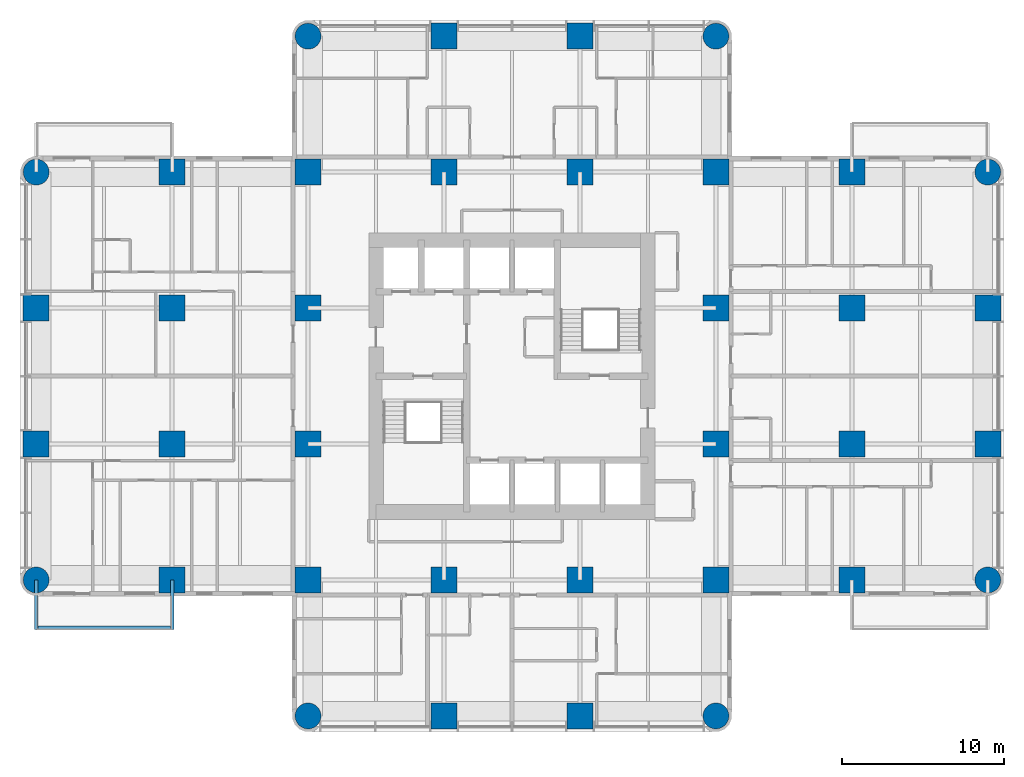
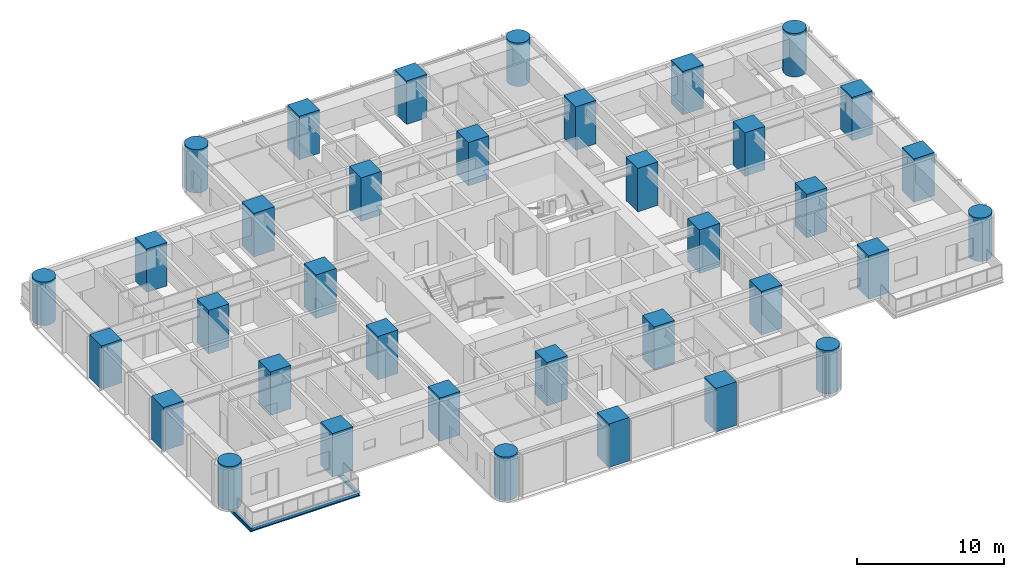
# One storey, part 1 of 14: 36 columns, 3 beams.
"""IFC4 building model written with IfcOpenShell, lengths in metres."""

import ifcopenshell
import ifcopenshell.guid

model = None  # the IFC model being written
_history = None  # IfcOwnerHistory: only IFC2X3 demands one
_inside = {}  # id of a spatial element -> (the spatial element, [elements in it])
_under = {}  # id of a project, library or spatial element -> (it, [spatial elements below it])
_declared = {}  # id of a project -> (the project, [libraries it declares])
_typed = {}  # id of a type object -> (the type object, [elements of that type])
_made_of = {}  # id of a material, layer set ... -> (it, [elements and type objects made of it])


def new_model(schema):
    """Start an empty IFC model of exactly this schema.

    Asked for "IFC4X3", IfcOpenShell would pick the latest addendum, in which some entities
    have other attributes; the version numbers below select the first issue.
    IFC2X3 requires an IfcOwnerHistory on every rooted entity: one is made here for all.
    """
    global model, _history
    if schema == "IFC4X3":
        model = ifcopenshell.file(schema_version=(4, 3, 0, 0))
    else:
        model = ifcopenshell.file(schema=schema)
    _inside.clear()
    _under.clear()
    _declared.clear()
    _typed.clear()
    _made_of.clear()
    _history = None
    if model.schema == "IFC2X3":
        org = make("IfcOrganization", Name="unknown")
        user = make(
            "IfcPersonAndOrganization",
            ThePerson=make("IfcPerson", FamilyName="unknown"),
            TheOrganization=org,
        )
        app = make(
            "IfcApplication",
            ApplicationDeveloper=org,
            Version="unknown",
            ApplicationFullName="unknown",
            ApplicationIdentifier="unknown",
        )
        _history = make(
            "IfcOwnerHistory",
            OwningUser=user,
            OwningApplication=app,
            ChangeAction="ADDED",
            CreationDate=0,
        )
    return model


def make(cls, **values):
    """One entity of the class cls with the attributes given. An attribute that is None is left unset."""
    return model.create_entity(
        cls, **{name: value for name, value in values.items() if value is not None}
    )


def rooted(cls, **values):
    """An entity with a GlobalId (a new one), such as an element, a storey or a relation."""
    return make(cls, GlobalId=ifcopenshell.guid.new(), OwnerHistory=_history, **values)


def si_unit(unit_type, name, prefix=None):
    """IfcSIUnit, for example si_unit("LENGTHUNIT", "METRE", prefix="MILLI")."""
    return make("IfcSIUnit", UnitType=unit_type, Prefix=prefix, Name=name)


def assignment(units):
    """IfcUnitAssignment: the units of a project."""
    return None if units is None else make("IfcUnitAssignment", Units=units)


def point(xyz):
    """IfcCartesianPoint."""
    return None if xyz is None else make("IfcCartesianPoint", Coordinates=xyz)


def direction(xyz):
    """IfcDirection."""
    return None if xyz is None else make("IfcDirection", DirectionRatios=xyz)


def frame(location, z_axis=None, x_axis=None):
    """IfcAxis2Placement3D, a coordinate frame: its origin and axes. An axis left out is left unset."""
    return make(
        "IfcAxis2Placement3D",
        Location=point(location),
        Axis=direction(z_axis),
        RefDirection=direction(x_axis),
    )


def frame_2d(location, x_axis=None):
    """IfcAxis2Placement2D, a coordinate frame in the plane: its origin and x axis."""
    return make(
        "IfcAxis2Placement2D", Location=point(location), RefDirection=direction(x_axis)
    )


def origin():
    """The frame at (0, 0, 0) with its axes left unset."""
    return frame((0.0, 0.0, 0.0))


def origin_2d():
    """The frame at (0, 0) in the plane with its x axis left unset."""
    return frame_2d((0.0, 0.0))


def place(relative_to, where):
    """IfcLocalPlacement: puts the frame where relative to a parent placement (None: the world)."""
    return make(
        "IfcLocalPlacement", PlacementRelTo=relative_to, RelativePlacement=where
    )


def context(
    kind, dimensions, precision=None, world=None, true_north=None, identifier=None
):
    """IfcGeometricRepresentationContext, for example the 3D "Model" context."""
    return make(
        "IfcGeometricRepresentationContext",
        ContextIdentifier=identifier,
        ContextType=kind,
        CoordinateSpaceDimension=dimensions,
        Precision=precision,
        WorldCoordinateSystem=world,
        TrueNorth=true_north,
    )


def subcontext(parent, identifier, kind, view, scale=None):
    """IfcGeometricRepresentationSubContext, for example "Body" below "Model"."""
    return make(
        "IfcGeometricRepresentationSubContext",
        ContextIdentifier=identifier,
        ContextType=kind,
        ParentContext=parent,
        TargetScale=scale,
        TargetView=view,
    )


def project(units=None, contexts=None):
    """IfcProject with its units and contexts."""
    return rooted(
        "IfcProject",
        Name="project",
        RepresentationContexts=contexts,
        UnitsInContext=assignment(units),
    )


def spatial(cls, under=None, at=None, **own):
    """A site, building, storey or space (cls), placed at a placement, below another one or the project."""
    s = rooted(cls, ObjectPlacement=at, **own)
    if under is not None:
        _under.setdefault(under.id(), (under, []))[1].append(s)
    return s


def profile(cls, at=None, kind="AREA", **sizes):
    """A parametric profile (cls). Its sizes go by their IFC names, for example OverallWidth=200.0."""
    return make(cls, ProfileType=kind, Position=at, **sizes)


def rectangle(**sizes):
    """IfcRectangleProfileDef."""
    return profile("IfcRectangleProfileDef", **sizes)


def circle(**sizes):
    """IfcCircleProfileDef."""
    return profile("IfcCircleProfileDef", **sizes)


def i_section(**sizes):
    """IfcIShapeProfileDef."""
    return profile("IfcIShapeProfileDef", **sizes)


def extrude(swept, where, along, depth):
    """IfcExtrudedAreaSolid: the profile swept, set in the frame where, extruded along a direction by depth."""
    return make(
        "IfcExtrudedAreaSolid",
        SweptArea=swept,
        Position=where,
        ExtrudedDirection=direction(along),
        Depth=depth,
    )


def shape(context_of_items, identifier, shape_type, items):
    """IfcShapeRepresentation: the items that make up one representation, for example the "Body"."""
    return make(
        "IfcShapeRepresentation",
        ContextOfItems=context_of_items,
        RepresentationIdentifier=identifier,
        RepresentationType=shape_type,
        Items=items,
    )


def material(Name=None, Category=None):
    """IfcMaterial."""
    return make("IfcMaterial", Name=Name, Category=Category)


def material_profile(
    of_material, cross_section, Name=None, Category=None, Priority=None
):
    """IfcMaterialProfile: a cross section and its material."""
    return make(
        "IfcMaterialProfile",
        Name=Name,
        Material=of_material,
        Profile=cross_section,
        Priority=Priority,
        Category=Category,
    )


def profile_set(profiles, Name=None, composite=None):
    """IfcMaterialProfileSet."""
    return make(
        "IfcMaterialProfileSet",
        Name=Name,
        MaterialProfiles=profiles,
        CompositeProfile=composite,
    )


def made_of(thing, what):
    """Note that an element or type object is made of a material, layer set ...; save() writes the relation."""
    if what is not None:
        _made_of.setdefault(what.id(), (what, []))[1].append(thing)
    return thing


def type_object(cls, material=None, **own):
    """A type object (cls), such as IfcWallType, which elements share."""
    return made_of(rooted(cls, **own), material)


def element(
    cls,
    number,
    at=None,
    inside=None,
    cuts=None,
    type_object=None,
    material=None,
    context=None,
    identifier="Body",
    shape_type=None,
    held_by="IfcProductDefinitionShape",
    body=None,
    shapes=None,
    **own,
):
    """One element of the class cls, such as IfcWall. Its Tag is "e" and its number.

    at: its placement. inside: the storey or other place that contains it. cuts: it is an
    opening in that element (IfcRelVoidsElement). A single representation is given by context,
    identifier, shape_type and body (its items); several are given by shapes. held_by: the class
    of the entity that holds the representations. save() writes the other relations.
    """
    e = rooted(cls, Tag="e%d" % number, ObjectPlacement=at, **own)
    if body is not None:
        shapes = [shape(context, identifier, shape_type, body)]
    if shapes is not None:
        e.Representation = make(held_by, Representations=shapes)
    if inside is not None:
        _inside.setdefault(inside.id(), (inside, []))[1].append(e)
    if cuts is not None:
        rooted(
            "IfcRelVoidsElement", RelatingBuildingElement=cuts, RelatedOpeningElement=e
        )
    if type_object is not None:
        _typed.setdefault(type_object.id(), (type_object, []))[1].append(e)
    return made_of(e, material)


def aggregate(whole, parts):
    """IfcRelAggregates: a whole, such as a stair, and the parts it consists of."""
    return rooted("IfcRelAggregates", RelatingObject=whole, RelatedObjects=parts)


def save(model, path):
    """Write the relations noted so far, then the file.

    IfcRelAggregates (storeys below a building ...), IfcRelContainedInSpatialStructure (elements
    in a storey), IfcRelDefinesByType, IfcRelAssociatesMaterial and IfcRelDeclares: one each for
    every whole, place, type object, material and project.
    """
    for whole, parts in _under.values():
        aggregate(whole, parts)
    for where, things in _inside.values():
        rooted(
            "IfcRelContainedInSpatialStructure",
            RelatedElements=things,
            RelatingStructure=where,
        )
    for kind, things in _typed.values():
        rooted("IfcRelDefinesByType", RelatedObjects=things, RelatingType=kind)
    for what, things in _made_of.values():
        rooted("IfcRelAssociatesMaterial", RelatedObjects=things, RelatingMaterial=what)
    for by, libraries in _declared.values():
        rooted("IfcRelDeclares", RelatingContext=by, RelatedDefinitions=libraries)
    model.write(path)


model = new_model("IFC4")

# Units and contexts
model_context = context("Model", 3, precision=1e-05, world=origin(), true_north=direction((0.0, 1.0)))
body_context = subcontext(model_context, "Body", "Model", "MODEL_VIEW")
ifc_project = project(units=[si_unit("LENGTHUNIT", "METRE"), si_unit("AREAUNIT", "SQUARE_METRE"), si_unit("VOLUMEUNIT", "CUBIC_METRE"), si_unit("PLANEANGLEUNIT", "RADIAN"), si_unit("MASSUNIT", "GRAM", prefix="KILO")], contexts=[model_context])

# Site, building, storey
site_placement = place(None, origin())
site = spatial("IfcSite", under=ifc_project, at=site_placement, CompositionType="ELEMENT")
building_placement = place(site_placement, origin())
building = spatial("IfcBuilding", under=site, at=building_placement, Name="Torre Alcanfor", CompositionType="ELEMENT")
storey_placement = place(building_placement, frame((0.0, 0.0, 162.89990234375)))
storey = spatial("IfcBuildingStorey", under=building, at=storey_placement, Name="L42", CompositionType="ELEMENT", Elevation=162.89990234375)

# Columns
ifc_material_1 = material(Name="Concrete f'c 70 MPa", Category="concrete")
ifc_material_profile_1 = material_profile(ifc_material_1, rectangle(XDim=1.60009765625, YDim=1.60009765625, at=origin_2d()), Name="1600x1600")
ifc_profile_set_1 = profile_set([ifc_material_profile_1], Name="Concrete f'c 70 MPa")
column_type_1 = type_object("IfcColumnType", Name="RC column 1600x1600 f'c70", PredefinedType="COLUMN", material=ifc_profile_set_1)
for number, where, z_axis, x_axis, name in (
    (1, (0.0, 25.199951171875, 0.0), (0.0, 0.0, 1.0), (1.0, 0.0, 0.0), "Column 1/F L42"),
    (2, (0.0, 33.60009765625, 0.0), (0.0, 0.0, 1.0), (1.0, 0.0, 0.0), "Column 1/G L42"),
    (3, (8.39990234375, 16.800048828125, 0.0), (0.0, 0.0, 1.0), (1.0, 0.0, 0.0), "Column 2/E L42"),
    (4, (8.39990234375, 25.199951171875, 0.0), (0.0, 0.0, 1.0), (1.0, 0.0, 0.0), "Column 2/F L42"),
    (5, (8.39990234375, 33.60009765625, 0.0), (0.0, 0.0, 1.0), (1.0, 0.0, 0.0), "Column 2/G L42"),
    (6, (8.39990234375, 42.0, 0.0), (0.0, 0.0, 1.0), (1.0, 0.0, 0.0), "Column 2/H L42"),
    (7, (16.800048828125, 16.800048828125, 0.0), (0.0, 0.0, 1.0), (1.0, 0.0, 0.0), "Column 3/E L42"),
    (8, (16.800048828125, 25.199951171875, 0.0), (0.0, 0.0, 1.0), (1.0, 0.0, 0.0), "Column 3/F L42"),
    (9, (16.800048828125, 33.60009765625, 0.0), (0.0, 0.0, 1.0), (1.0, 0.0, 0.0), "Column 3/G L42"),
    (10, (16.800048828125, 42.0, 0.0), (0.0, 0.0, 1.0), (1.0, 0.0, 0.0), "Column 3/H L42"),
    (11, (25.199951171875, 8.39990234375, 0.0), (0.0, 0.0, 1.0), (1.0, 0.0, 0.0), "Column 4/D L42"),
    (12, (25.199951171875, 16.800048828125, 0.0), (0.0, 0.0, 1.0), (1.0, 0.0, 0.0), "Column 4/E L42"),
    (13, (25.199951171875, 42.0, 0.0), (0.0, 0.0, 1.0), (1.0, 0.0, 0.0), "Column 4/H L42"),
    (14, (25.199951171875, 50.39990234375, 0.0), (0.0, 0.0, 1.0), (1.0, 0.0, 0.0), "Column 4/J L42"),
    (15, (33.60009765625, 8.39990234375, 0.0), (0.0, 0.0, 1.0), (1.0, 0.0, 0.0), "Column 5/D L42"),
    (16, (33.60009765625, 16.800048828125, 0.0), (0.0, 0.0, 1.0), (1.0, 0.0, 0.0), "Column 5/E L42"),
    (17, (33.60009765625, 42.0, 0.0), (0.0, 0.0, 1.0), (1.0, 0.0, 0.0), "Column 5/H L42"),
    (18, (33.60009765625, 50.39990234375, 0.0), (0.0, 0.0, 1.0), (1.0, 0.0, 0.0), "Column 5/J L42"),
    (19, (42.0, 16.800048828125, 0.0), (0.0, 0.0, 1.0), (1.0, 0.0, 0.0), "Column 6/E L42"),
    (20, (42.0, 25.199951171875, 0.0), (0.0, 0.0, 1.0), (1.0, 0.0, 0.0), "Column 6/F L42"),
    (21, (42.0, 33.60009765625, 0.0), (0.0, 0.0, 1.0), (1.0, 0.0, 0.0), "Column 6/G L42"),
    (22, (42.0, 42.0, 0.0), (0.0, 0.0, 1.0), (1.0, 0.0, 0.0), "Column 6/H L42"),
    (23, (50.39990234375, 16.800048828125, 0.0), (0.0, 0.0, 1.0), (1.0, 0.0, 0.0), "Column 7/E L42"),
    (24, (50.39990234375, 25.199951171875, 0.0), (0.0, 0.0, 1.0), (1.0, 0.0, 0.0), "Column 7/F L42"),
    (25, (50.39990234375, 33.60009765625, 0.0), (0.0, 0.0, 1.0), (1.0, 0.0, 0.0), "Column 7/G L42"),
    (26, (50.39990234375, 42.0, 0.0), (0.0, 0.0, 1.0), (1.0, 0.0, 0.0), "Column 7/H L42"),
    (27, (58.800048828125, 25.199951171875, 0.0), (0.0, 0.0, 1.0), (1.0, 0.0, 0.0), "Column 8/F L42"),
    (28, (58.800048828125, 33.60009765625, 0.0), (0.0, 0.0, 1.0), (1.0, 0.0, 0.0), "Column 8/G L42"),
):
    element("IfcColumn", number, at=place(storey_placement, frame(where, z_axis=z_axis, x_axis=x_axis)), inside=storey, type_object=column_type_1, Name=name, PredefinedType="COLUMN", context=body_context, shape_type="SweptSolid", body=[
        extrude(rectangle(XDim=1.60009765625, YDim=1.60009765625, at=origin_2d()), origin(), (0.0, 0.0, 1.0), 3.60009765625),
    ])
ifc_material_2 = material(Name="Concrete f'c 70 MPa", Category="concrete")
ifc_material_profile_2 = material_profile(ifc_material_2, circle(Radius=0.800048828125, at=origin_2d()), Name="D1600")
ifc_profile_set_2 = profile_set([ifc_material_profile_2], Name="Concrete f'c 70 MPa")
column_type_2 = type_object("IfcColumnType", Name="RC column D1600 f'c70", PredefinedType="COLUMN", material=ifc_profile_set_2)
for number, where, z_axis, x_axis, name in (
    (29, (0.0, 16.800048828125, 0.0), (0.0, 0.0, 1.0), (1.0, 0.0, 0.0), "Column 1/E L42"),
    (30, (0.0, 42.0, 0.0), (0.0, 0.0, 1.0), (1.0, 0.0, 0.0), "Column 1/H L42"),
    (31, (16.800048828125, 8.39990234375, 0.0), (0.0, 0.0, 1.0), (1.0, 0.0, 0.0), "Column 3/D L42"),
    (32, (16.800048828125, 50.39990234375, 0.0), (0.0, 0.0, 1.0), (1.0, 0.0, 0.0), "Column 3/J L42"),
    (33, (42.0, 8.39990234375, 0.0), (0.0, 0.0, 1.0), (1.0, 0.0, 0.0), "Column 6/D L42"),
    (34, (42.0, 50.39990234375, 0.0), (0.0, 0.0, 1.0), (1.0, 0.0, 0.0), "Column 6/J L42"),
    (35, (58.800048828125, 16.800048828125, 0.0), (0.0, 0.0, 1.0), (1.0, 0.0, 0.0), "Column 8/E L42"),
    (36, (58.800048828125, 42.0, 0.0), (0.0, 0.0, 1.0), (1.0, 0.0, 0.0), "Column 8/H L42"),
):
    element("IfcColumn", number, at=place(storey_placement, frame(where, z_axis=z_axis, x_axis=x_axis)), inside=storey, type_object=column_type_2, Name=name, PredefinedType="COLUMN", context=body_context, shape_type="SweptSolid", body=[
        extrude(circle(Radius=0.800048828125, at=origin_2d()), origin(), (0.0, 0.0, 1.0), 3.60009765625),
    ])

# Beams
ifc_material_3 = material(Name="Steel ASTM A992 Grade 50", Category="steel")
ifc_material_profile_3 = material_profile(ifc_material_3, i_section(OverallWidth=0.205322265625, OverallDepth=0.309814453125, WebThickness=0.00927734375, FlangeThickness=0.016357421875, at=origin_2d()), Name="W12x50")
ifc_profile_set_3 = profile_set([ifc_material_profile_3], Name="Steel ASTM A992 Grade 50")
beam_type_1 = type_object("IfcBeamType", Name="Balcony cantilever beam W12x50", PredefinedType="BEAM", material=ifc_profile_set_3)
for number, where, z_axis, x_axis, name in (
    (37, (8.39990234375, 16.800048828125, -0.354736328125), (0.0, -1.0, 0.0), (1.0, 0.0, 0.0), "Balcony cantilever beam L42-W1 1"),
    (38, (0.0, 16.800048828125, -0.354736328125), (0.0, -1.0, 0.0), (1.0, 0.0, 0.0), "Balcony cantilever beam L42-W1 2"),
):
    element("IfcBeam", number, at=place(storey_placement, frame(where, z_axis=z_axis, x_axis=x_axis)), inside=storey, type_object=beam_type_1, Name=name, PredefinedType="BEAM", context=body_context, shape_type="SweptSolid", body=[
        extrude(i_section(OverallWidth=0.205322265625, OverallDepth=0.309814453125, WebThickness=0.00927734375, FlangeThickness=0.016357421875, at=origin_2d()), origin(), (0.0, 0.0, 1.0), 3.050048828125),
    ])
ifc_material_4 = material(Name="Steel ASTM A992 Grade 50", Category="steel")
ifc_material_profile_4 = material_profile(ifc_material_4, i_section(OverallWidth=0.203369140625, OverallDepth=0.30224609375, WebThickness=0.007568359375, FlangeThickness=0.01318359375, at=origin_2d()), Name="W12x40")
ifc_profile_set_4 = profile_set([ifc_material_profile_4], Name="Steel ASTM A992 Grade 50")
beam_type_2 = type_object("IfcBeamType", Name="Balcony edge trimmer W12x40", PredefinedType="BEAM", material=ifc_profile_set_4)
beam_placement = place(storey_placement, frame((8.39990234375, 13.851806640625, -0.35107421875), z_axis=(-1.0, 0.0, 0.0), x_axis=(0.0, -1.0, 0.0)))
element("IfcBeam", 39, at=beam_placement, inside=storey, type_object=beam_type_2, Name="Balcony edge trimmer L42-W1", PredefinedType="BEAM", context=body_context, shape_type="SweptSolid", body=[
    extrude(i_section(OverallWidth=0.203369140625, OverallDepth=0.30224609375, WebThickness=0.007568359375, FlangeThickness=0.01318359375, at=origin_2d()), origin(), (0.0, 0.0, 1.0), 8.39990234375),
])

save(model, "model.ifc")
